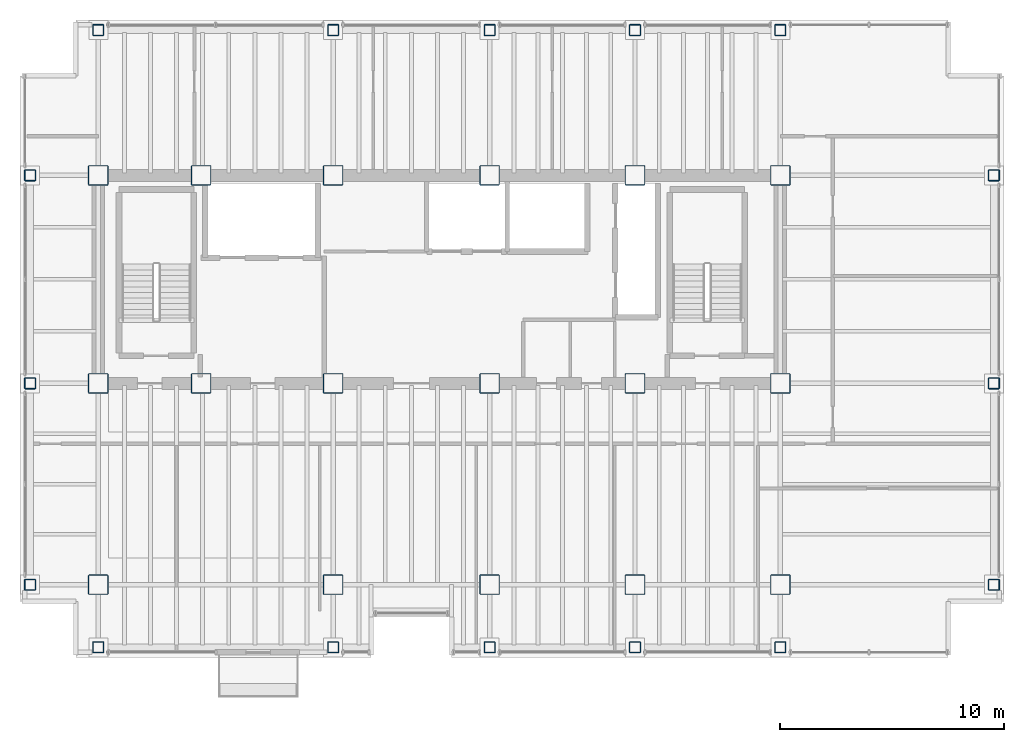
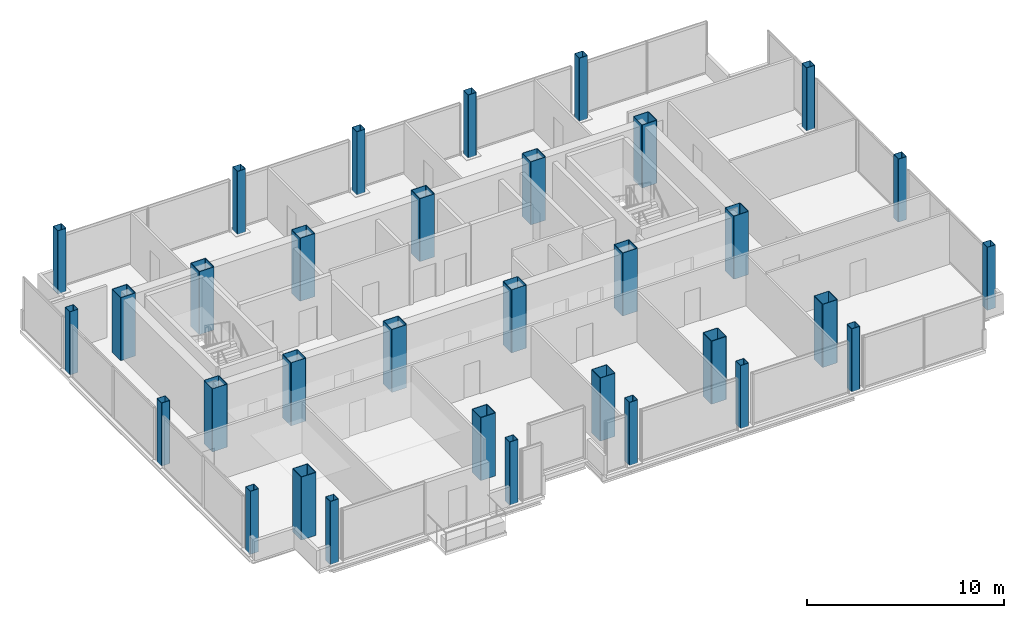
# One storey, part 1 of 15: 33 columns.
"""IFC4 building model written with IfcOpenShell, lengths in metres."""

from ifc_helpers import new_model, si_unit, direction, frame, origin, origin_2d, place, context, subcontext, project, spatial, hollow_rectangle, extrude, material, material_profile, profile_set, type_object, element, save


model = new_model("IFC4")

# Units and contexts
model_context = context("Model", 3, precision=1e-05, world=origin(), true_north=direction((0.0, 1.0)))
body_context = subcontext(model_context, "Body", "Model", "MODEL_VIEW")
ifc_project = project(units=[si_unit("LENGTHUNIT", "METRE"), si_unit("AREAUNIT", "SQUARE_METRE"), si_unit("VOLUMEUNIT", "CUBIC_METRE"), si_unit("PLANEANGLEUNIT", "RADIAN"), si_unit("MASSUNIT", "GRAM", prefix="KILO")], contexts=[model_context])

# Site, building, storey
site_placement = place(None, origin())
site = spatial("IfcSite", under=ifc_project, at=site_placement, CompositionType="ELEMENT")
building_placement = place(site_placement, origin())
building = spatial("IfcBuilding", under=site, at=building_placement, Name="Noeulbin Bourse Tower", CompositionType="ELEMENT")
storey_placement = place(building_placement, frame((0.0, 0.0, 173.39990234375)))
storey = spatial("IfcBuildingStorey", under=building, at=storey_placement, Name="L43", CompositionType="ELEMENT", Elevation=173.39990234375)

# Columns
ifc_material_1 = material(Name="Steel S355", Category="steel")
ifc_material_profile_1 = material_profile(ifc_material_1, hollow_rectangle(XDim=0.5, YDim=0.5, WallThickness=0.02392578125, InnerFilletRadius=0.011962890625, OuterFilletRadius=0.035888671875, at=origin_2d()), Name="BOX-500x500x24", Category="LoadBearing")
ifc_profile_set_1 = profile_set([ifc_material_profile_1], Name="Steel S355")
column_type_1 = type_object("IfcColumnType", Name="COL-PER-Z2", PredefinedType="COLUMN", material=ifc_profile_set_1)
for number, where, z_axis, x_axis, name in (
    (1, (10.449951171875, 20.0, 0.0), (0.0, 0.0, 1.0), (1.0, 0.0, 0.0), "Tower Perimeter Column COL-PER-Z2 01"),
    (2, (10.449951171875, 29.0, 0.0), (0.0, 0.0, 1.0), (1.0, 0.0, 0.0), "Tower Perimeter Column COL-PER-Z2 02"),
    (3, (10.449951171875, 38.300048828125, 0.0), (0.0, 0.0, 1.0), (1.0, 0.0, 0.0), "Tower Perimeter Column COL-PER-Z2 03"),
    (4, (13.5, 17.199951171875, 0.0), (0.0, 0.0, 1.0), (1.0, 0.0, 0.0), "Tower Perimeter Column COL-PER-Z2 04"),
    (5, (13.5, 44.800048828125, 0.0), (0.0, 0.0, 1.0), (1.0, 0.0, 0.0), "Tower Perimeter Column COL-PER-Z2 05"),
    (6, (24.0, 17.199951171875, 0.0), (0.0, 0.0, 1.0), (1.0, 0.0, 0.0), "Tower Perimeter Column COL-PER-Z2 06"),
    (7, (24.0, 44.800048828125, 0.0), (0.0, 0.0, 1.0), (1.0, 0.0, 0.0), "Tower Perimeter Column COL-PER-Z2 07"),
    (8, (31.0, 17.199951171875, 0.0), (0.0, 0.0, 1.0), (1.0, 0.0, 0.0), "Tower Perimeter Column COL-PER-Z2 08"),
    (9, (31.0, 44.800048828125, 0.0), (0.0, 0.0, 1.0), (1.0, 0.0, 0.0), "Tower Perimeter Column COL-PER-Z2 09"),
    (10, (37.5, 17.199951171875, 0.0), (0.0, 0.0, 1.0), (1.0, 0.0, 0.0), "Tower Perimeter Column COL-PER-Z2 10"),
    (11, (37.5, 44.800048828125, 0.0), (0.0, 0.0, 1.0), (1.0, 0.0, 0.0), "Tower Perimeter Column COL-PER-Z2 11"),
    (12, (44.0, 17.199951171875, 0.0), (0.0, 0.0, 1.0), (1.0, 0.0, 0.0), "Tower Perimeter Column COL-PER-Z2 12"),
    (13, (44.0, 44.800048828125, 0.0), (0.0, 0.0, 1.0), (1.0, 0.0, 0.0), "Tower Perimeter Column COL-PER-Z2 13"),
    (14, (53.550048828125, 20.0, 0.0), (0.0, 0.0, 1.0), (1.0, 0.0, 0.0), "Tower Perimeter Column COL-PER-Z2 14"),
    (15, (53.550048828125, 29.0, 0.0), (0.0, 0.0, 1.0), (1.0, 0.0, 0.0), "Tower Perimeter Column COL-PER-Z2 15"),
    (16, (53.550048828125, 38.300048828125, 0.0), (0.0, 0.0, 1.0), (1.0, 0.0, 0.0), "Tower Perimeter Column COL-PER-Z2 16"),
):
    element("IfcColumn", number, at=place(storey_placement, frame(where, z_axis=z_axis, x_axis=x_axis)), inside=storey, type_object=column_type_1, Name=name, PredefinedType="COLUMN", context=body_context, shape_type="SweptSolid", body=[
        extrude(hollow_rectangle(XDim=0.5, YDim=0.5, WallThickness=0.02392578125, InnerFilletRadius=0.011962890625, OuterFilletRadius=0.035888671875, at=origin_2d()), origin(), (0.0, 0.0, 1.0), 3.900146484375),
    ])
ifc_material_2 = material(Name="Steel S460", Category="steel")
ifc_material_profile_2 = material_profile(ifc_material_2, hollow_rectangle(XDim=0.89990234375, YDim=0.89990234375, WallThickness=0.034912109375, InnerFilletRadius=0.01708984375, OuterFilletRadius=0.052001953125, at=origin_2d()), Name="BOX-900x900x35", Category="LoadBearing")
ifc_profile_set_2 = profile_set([ifc_material_profile_2], Name="Steel S460")
column_type_2 = type_object("IfcColumnType", Name="COL-TRK-Z2", PredefinedType="COLUMN", material=ifc_profile_set_2)
for number, where, z_axis, x_axis, name in (
    (17, (13.5, 29.0, 0.0), (0.0, 0.0, 1.0), (1.0, 0.0, 0.0), "Tower Trunk Mega-Column COL-TRK-Z2 01"),
    (18, (13.5, 38.300048828125, 0.0), (0.0, 0.0, 1.0), (1.0, 0.0, 0.0), "Tower Trunk Mega-Column COL-TRK-Z2 02"),
    (19, (18.10009765625, 29.0, 0.0), (0.0, 0.0, 1.0), (1.0, 0.0, 0.0), "Tower Trunk Mega-Column COL-TRK-Z2 03"),
    (20, (18.10009765625, 38.300048828125, 0.0), (0.0, 0.0, 1.0), (1.0, 0.0, 0.0), "Tower Trunk Mega-Column COL-TRK-Z2 04"),
    (21, (24.0, 29.0, 0.0), (0.0, 0.0, 1.0), (1.0, 0.0, 0.0), "Tower Trunk Mega-Column COL-TRK-Z2 05"),
    (22, (24.0, 38.300048828125, 0.0), (0.0, 0.0, 1.0), (1.0, 0.0, 0.0), "Tower Trunk Mega-Column COL-TRK-Z2 06"),
    (23, (31.0, 29.0, 0.0), (0.0, 0.0, 1.0), (1.0, 0.0, 0.0), "Tower Trunk Mega-Column COL-TRK-Z2 07"),
    (24, (31.0, 38.300048828125, 0.0), (0.0, 0.0, 1.0), (1.0, 0.0, 0.0), "Tower Trunk Mega-Column COL-TRK-Z2 08"),
    (25, (37.5, 29.0, 0.0), (0.0, 0.0, 1.0), (1.0, 0.0, 0.0), "Tower Trunk Mega-Column COL-TRK-Z2 09"),
    (26, (37.5, 38.300048828125, 0.0), (0.0, 0.0, 1.0), (1.0, 0.0, 0.0), "Tower Trunk Mega-Column COL-TRK-Z2 10"),
    (27, (44.0, 29.0, 0.0), (0.0, 0.0, 1.0), (1.0, 0.0, 0.0), "Tower Trunk Mega-Column COL-TRK-Z2 11"),
    (28, (44.0, 38.300048828125, 0.0), (0.0, 0.0, 1.0), (1.0, 0.0, 0.0), "Tower Trunk Mega-Column COL-TRK-Z2 12"),
    (29, (13.5, 20.0, 0.0), (0.0, 0.0, 1.0), (1.0, 0.0, 0.0), "Tower Trunk Mega-Column COL-TRK-Z2 13"),
    (30, (24.0, 20.0, 0.0), (0.0, 0.0, 1.0), (1.0, 0.0, 0.0), "Tower Trunk Mega-Column COL-TRK-Z2 14"),
    (31, (31.0, 20.0, 0.0), (0.0, 0.0, 1.0), (1.0, 0.0, 0.0), "Tower Trunk Mega-Column COL-TRK-Z2 15"),
    (32, (37.5, 20.0, 0.0), (0.0, 0.0, 1.0), (1.0, 0.0, 0.0), "Tower Trunk Mega-Column COL-TRK-Z2 16"),
    (33, (44.0, 20.0, 0.0), (0.0, 0.0, 1.0), (1.0, 0.0, 0.0), "Tower Trunk Mega-Column COL-TRK-Z2 17"),
):
    element("IfcColumn", number, at=place(storey_placement, frame(where, z_axis=z_axis, x_axis=x_axis)), inside=storey, type_object=column_type_2, Name=name, PredefinedType="COLUMN", context=body_context, shape_type="SweptSolid", body=[
        extrude(hollow_rectangle(XDim=0.89990234375, YDim=0.89990234375, WallThickness=0.034912109375, InnerFilletRadius=0.01708984375, OuterFilletRadius=0.052001953125, at=origin_2d()), origin(), (0.0, 0.0, 1.0), 3.900146484375),
    ])

save(model, "model.ifc")
